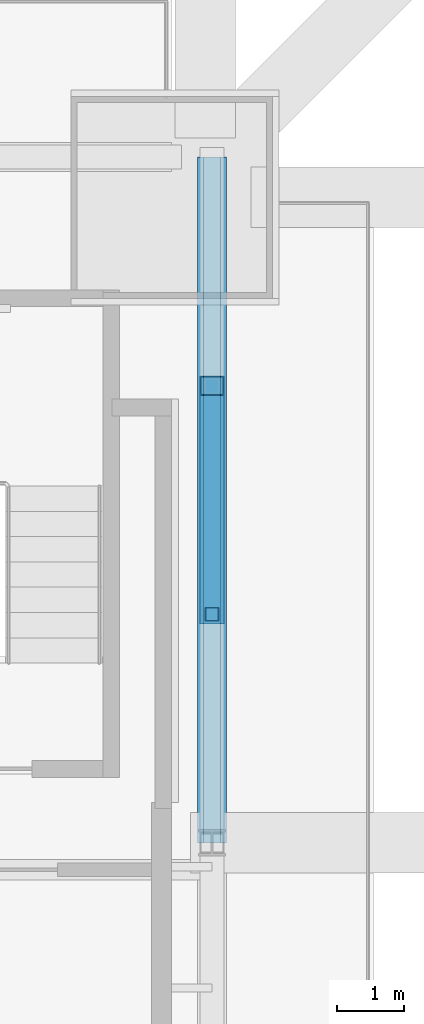
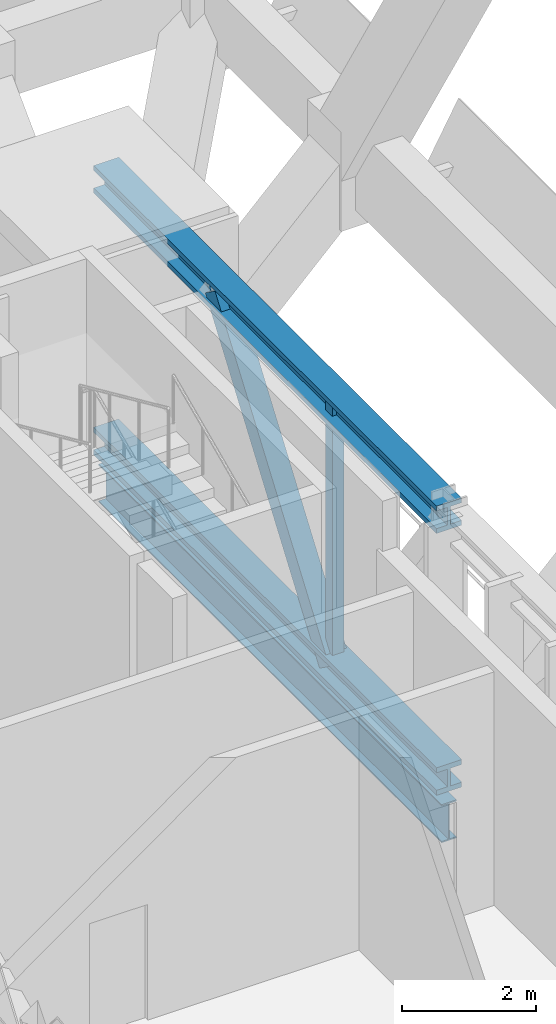
# One storey, part 17 of 32: 4 members, 1 beam.
"""IFC4 building model written with IfcOpenShell, lengths in metres."""

from ifc_helpers import new_model, si_unit, direction, frame, origin, origin_2d, place, context, subcontext, project, spatial, hollow_rectangle, i_section, extrude, material, material_profile, profile_set, type_object, element, save


model = new_model("IFC4")

# Units and contexts
model_context = context("Model", 3, precision=1e-05, world=origin(), true_north=direction((0.0, 1.0)))
body_context = subcontext(model_context, "Body", "Model", "MODEL_VIEW")
ifc_project = project(units=[si_unit("LENGTHUNIT", "METRE"), si_unit("AREAUNIT", "SQUARE_METRE"), si_unit("VOLUMEUNIT", "CUBIC_METRE"), si_unit("PLANEANGLEUNIT", "RADIAN"), si_unit("MASSUNIT", "GRAM", prefix="KILO")], contexts=[model_context])

# Site, building, storey
site_placement = place(None, origin())
site = spatial("IfcSite", under=ifc_project, at=site_placement, CompositionType="ELEMENT")
building_placement = place(site_placement, origin())
building = spatial("IfcBuilding", under=site, at=building_placement, Name="Bicima Exchange Tower", CompositionType="ELEMENT")
storey_placement = place(building_placement, frame((0.0, 0.0, 135.0)))
storey = spatial("IfcBuildingStorey", under=building, at=storey_placement, Name="L29", CompositionType="ELEMENT", Elevation=135.0)

# Members
ifc_material_1 = material(Name="Steel ASTM A992 Gr 50", Category="steel")
ifc_material_profile_1 = material_profile(ifc_material_1, i_section(OverallWidth=0.431884765625, OverallDepth=0.497802734375, WebThickness=0.0556640625, FlangeThickness=0.0888671875, at=origin_2d()))
ifc_profile_set_1 = profile_set([ifc_material_profile_1], Name="Steel ASTM A992 Gr 50")
member_type_1 = type_object("IfcMemberType", Name="Belt truss chord W14x500", PredefinedType="CHORD", material=ifc_profile_set_1)
for number, where, z_axis, x_axis, name in (
    (1, (33.60009765625, -2.39990234375, 5.001220703125), (0.0, -1.0, 0.0), (1.0, 0.0, 0.0), "Top chord"),
    (2, (33.60009765625, -2.39990234375, 0.248779296875), (0.0, -1.0, 0.0), (1.0, 0.0, 0.0), "Bottom chord"),
):
    element("IfcMember", number, at=place(storey_placement, frame(where, z_axis=z_axis, x_axis=x_axis)), inside=storey, type_object=member_type_1, Name=name, PredefinedType="CHORD", context=body_context, shape_type="SweptSolid", body=[
        extrude(i_section(OverallWidth=0.431884765625, OverallDepth=0.497802734375, WebThickness=0.0556640625, FlangeThickness=0.0888671875, at=origin_2d()), origin(), (0.0, 0.0, 1.0), 10.2001953125),
    ])
ifc_material_2 = material(Name="Steel ASTM A572 Gr 50", Category="steel")
ifc_material_profile_2 = material_profile(ifc_material_2, hollow_rectangle(XDim=0.355712890625, YDim=0.355712890625, WallThickness=0.0146484375, at=origin_2d()))
ifc_profile_set_2 = profile_set([ifc_material_profile_2], Name="Steel ASTM A572 Gr 50")
member_type_2 = type_object("IfcMemberType", Name="Belt truss diagonal HSS14x14x5/8", PredefinedType="STRUT", material=ifc_profile_set_2)
member_1_placement = place(storey_placement, frame((33.60009765625, -5.800048828125, 5.001220703125), z_axis=(0.0, -0.581838774812, -0.813304149827), x_axis=(1.0, 0.0, 0.0)))
element("IfcMember", 3, at=member_1_placement, inside=storey, type_object=member_type_2, Name="Truss diagonal", PredefinedType="STRUT", context=body_context, shape_type="SweptSolid", body=[
    extrude(hollow_rectangle(XDim=0.355712890625, YDim=0.355712890625, WallThickness=0.0146484375, at=origin_2d()), origin(), (0.0, 0.0, 1.0), 5.84326171875),
])
ifc_material_profile_3 = material_profile(ifc_material_2, hollow_rectangle(XDim=0.203125, YDim=0.203125, WallThickness=0.01171875, at=origin_2d()))
ifc_profile_set_3 = profile_set([ifc_material_profile_3], Name="Steel ASTM A572 Gr 50")
member_type_3 = type_object("IfcMemberType", Name="Belt truss post HSS8x8x1/2", PredefinedType="POST", material=ifc_profile_set_3)
member_2_placement = place(storey_placement, frame((33.60009765625, -9.199951171875, 0.248779296875), z_axis=(0.0, 0.0, 1.0), x_axis=(1.0, 0.0, 0.0)))
element("IfcMember", 4, at=member_2_placement, inside=storey, type_object=member_type_3, Name="Truss post", PredefinedType="POST", context=body_context, shape_type="SweptSolid", body=[
    extrude(hollow_rectangle(XDim=0.203125, YDim=0.203125, WallThickness=0.01171875, at=origin_2d()), origin(), (0.0, 0.0, 1.0), 4.75244140625),
])

# Beam
ifc_material_profile_4 = material_profile(ifc_material_1, i_section(OverallWidth=0.256591796875, OverallDepth=0.693359375, WebThickness=0.014404296875, FlangeThickness=0.023681640625, at=origin_2d()))
ifc_profile_set_4 = profile_set([ifc_material_profile_4], Name="Steel ASTM A992 Gr 50")
beam_type = type_object("IfcBeamType", Name="End girder W27x114", PredefinedType="BEAM", material=ifc_profile_set_4)
beam_placement = place(storey_placement, frame((33.60009765625, -2.39990234375, -0.546630859375), z_axis=(0.0, -1.0, 0.0), x_axis=(1.0, 0.0, 0.0)))
element("IfcBeam", 5, at=beam_placement, inside=storey, type_object=beam_type, Name="End girder", PredefinedType="BEAM", context=body_context, shape_type="SweptSolid", body=[
    extrude(i_section(OverallWidth=0.256591796875, OverallDepth=0.693359375, WebThickness=0.014404296875, FlangeThickness=0.023681640625, at=origin_2d()), origin(), (0.0, 0.0, 1.0), 10.2001953125),
])

save(model, "model.ifc")
